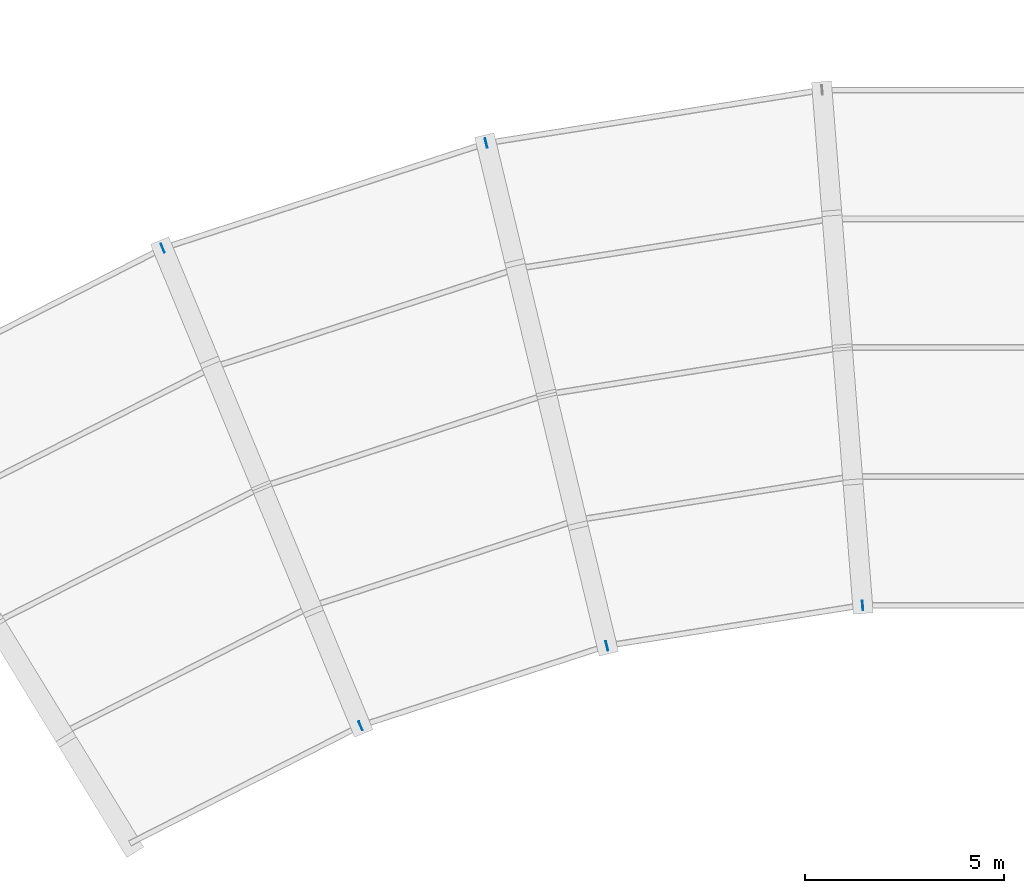
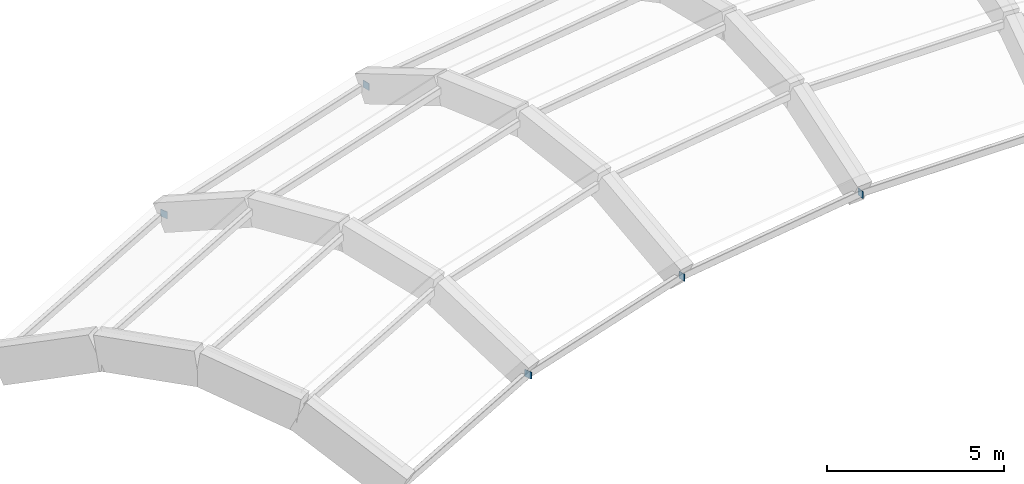
# One storey, part 10 of 18: 5 plates.
"""IFC4 building model written with IfcOpenShell, lengths in metres."""

from ifc_helpers import new_model, si_unit, direction, frame, origin, origin_2d, place, context, subcontext, project, spatial, rectangle, extrude, material, layer, layer_set, type_object, element, save


model = new_model("IFC4")

# Units and contexts
model_context = context("Model", 3, precision=1e-05, world=origin(), true_north=direction((0.0, 1.0)))
body_context = subcontext(model_context, "Body", "Model", "MODEL_VIEW")
ifc_project = project(units=[si_unit("LENGTHUNIT", "METRE"), si_unit("AREAUNIT", "SQUARE_METRE"), si_unit("VOLUMEUNIT", "CUBIC_METRE"), si_unit("PLANEANGLEUNIT", "RADIAN"), si_unit("MASSUNIT", "GRAM", prefix="KILO")], contexts=[model_context])

# Site, building, storey
site_placement = place(None, origin())
site = spatial("IfcSite", under=ifc_project, at=site_placement, CompositionType="ELEMENT")
building_placement = place(site_placement, origin())
building = spatial("IfcBuilding", under=site, at=building_placement, Name="Miralva Faculty of Natural Sciences", CompositionType="ELEMENT")
storey_placement = place(building_placement, frame((0.0, 0.0, 28.5)))
storey = spatial("IfcBuildingStorey", under=building, at=storey_placement, Name="L06", CompositionType="ELEMENT", Elevation=28.5)

# Plates
ifc_material = material(Name="Steel S355", Category="steel")
ifc_layer = layer(ifc_material, 0.02490234375, Name="PLT-BP02")
ifc_layer_set = layer_set([ifc_layer], Name="Steel S355")
plate_type = type_object("IfcPlateType", Name="PLT-BP02", PredefinedType="SHEET", material=ifc_layer_set)
for number, where, z_axis, x_axis, name in (
    (1, (74.11865234375, 17.341064453125, 1.06494140625), (0.0, 0.0, 1.0), (-0.382683432365, 0.923879532511, 0.0), "Shell truss diagonal gusset plate 02-2"),
    (2, (69.143798828125, 29.351318359375, 1.06494140625), (0.0, 0.0, 1.0), (-0.382683432365, 0.923879532511, 0.0), "Shell truss diagonal gusset plate 02-4"),
    (3, (80.31201171875, 19.353515625, 1.06494140625), (0.0, 0.0, 1.0), (-0.233445363856, 0.972369920398, 0.0), "Shell truss diagonal gusset plate 03-2"),
    (4, (77.277099609375, 31.994140625, 1.06494140625), (0.0, 0.0, 1.0), (-0.233445363856, 0.972369920398, 0.0), "Shell truss diagonal gusset plate 03-4"),
    (5, (86.743896484375, 20.3720703125, 1.06494140625), (0.0, 0.0, 1.0), (-0.078459095728, 0.996917333733, 0.0), "Shell truss diagonal gusset plate 04-2"),
):
    element("IfcPlate", number, at=place(storey_placement, frame(where, z_axis=z_axis, x_axis=x_axis)), inside=storey, type_object=plate_type, Name=name, PredefinedType="SHEET", context=body_context, shape_type="SweptSolid", body=[
        extrude(rectangle(XDim=0.239990234375, YDim=0.02001953125, at=origin_2d()), origin(), (0.0, 0.0, 1.0), 0.239990234375),
    ])

save(model, "model.ifc")
